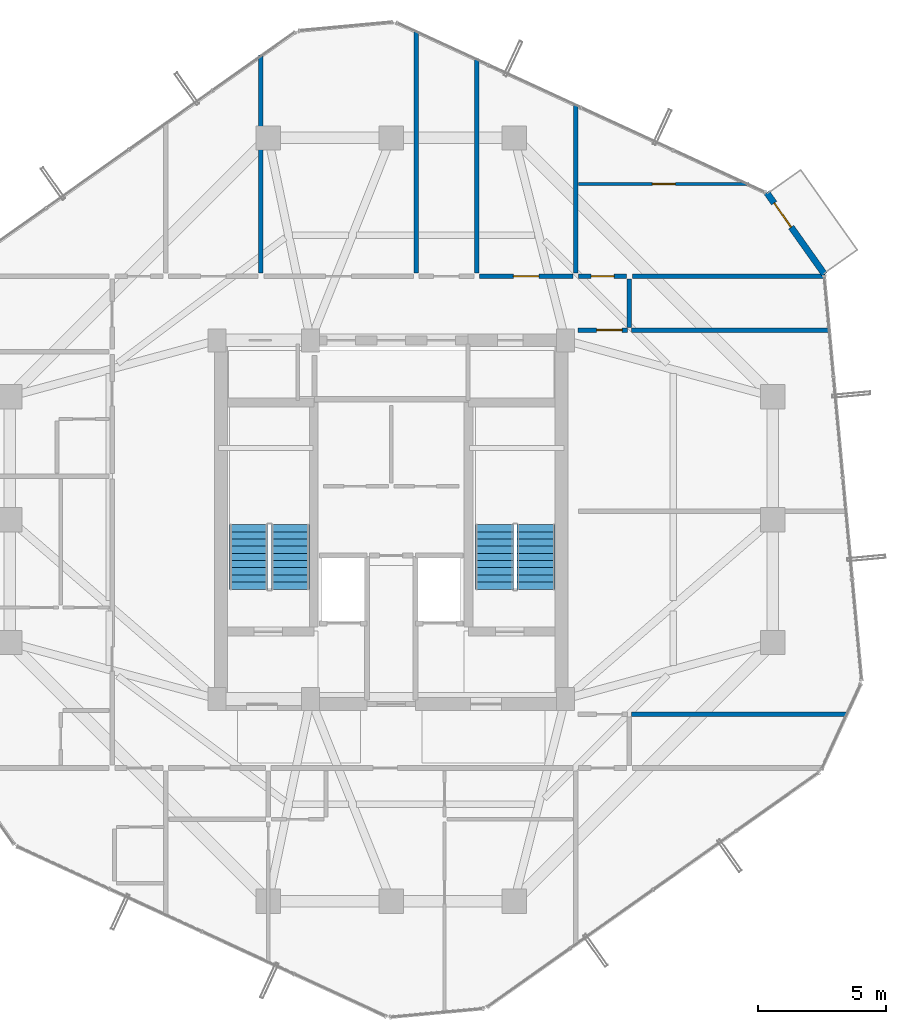
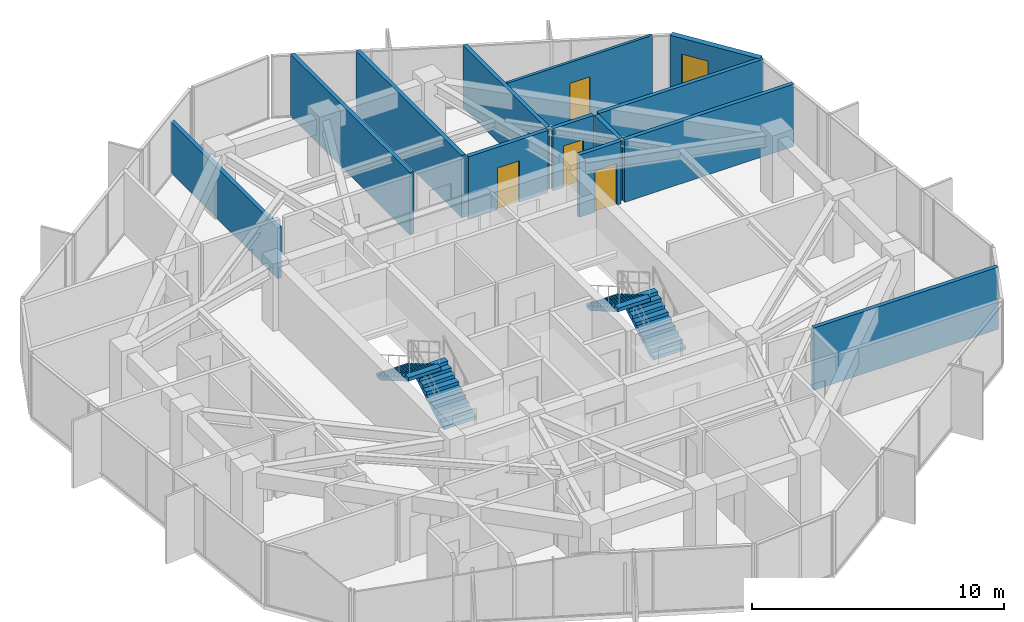
# One storey, part 30 of 32: 13 walls, 5 doors, 4 stair flights, 5 openings, 2 elements without a shape of their own.
"""IFC4 building model written with IfcOpenShell, lengths in metres."""

from ifc_helpers import new_model, si_unit, direction, frame, frame_2d, origin, place, context, subcontext, project, spatial, polyline, rectangle, outline, extrude, source, transform, mapped, material, layer, layer_set, type_object, element, fill, aggregate, save


model = new_model("IFC4")

# Units and contexts
model_context = context("Model", 3, precision=1e-05, world=origin(), true_north=direction((0.0, 1.0)))
body_context = subcontext(model_context, "Body", "Model", "MODEL_VIEW")
ifc_project = project(units=[si_unit("LENGTHUNIT", "METRE"), si_unit("AREAUNIT", "SQUARE_METRE"), si_unit("VOLUMEUNIT", "CUBIC_METRE"), si_unit("PLANEANGLEUNIT", "RADIAN"), si_unit("MASSUNIT", "GRAM", prefix="KILO")], contexts=[model_context])

# Site, building, storey
site_placement = place(None, origin())
site = spatial("IfcSite", under=ifc_project, at=site_placement, CompositionType="ELEMENT")
building_placement = place(site_placement, origin())
building = spatial("IfcBuilding", under=site, at=building_placement, Name="Veraguas Prism Commons", CompositionType="ELEMENT")
storey_placement = place(building_placement, frame((0.0, 0.0, 188.60009765625)))
storey = spatial("IfcBuildingStorey", under=building, at=storey_placement, Name="L53", CompositionType="ELEMENT", Elevation=188.60009765625)

# Walls
ifc_material_1 = material(Name="Autoclaved aerated masonry block 10 MPa", Category="masonry")
ifc_layer_1 = layer(ifc_material_1, 0.179931640625, Name="Corridor and Inter-Tenancy Partition 180", Category="masonry")
ifc_layer_set_1 = layer_set([ifc_layer_1], Name="Autoclaved aerated masonry block 10 MPa")
wall_type_1 = type_object("IfcWallType", Name="Corridor and Inter-Tenancy Partition 180", PredefinedType="PARTITIONING", material=ifc_layer_set_1)
wall_1_placement = place(storey_placement, frame((31.199951171875, 33.6201171875, 0.0), z_axis=(0.0, 0.0, 1.0), x_axis=(0.0, 1.0, 0.0)))
element("IfcWall", 1, at=wall_1_placement, inside=storey, type_object=wall_type_1, Name="WL-L53-PT014", PredefinedType="PARTITIONING", context=body_context, shape_type="SweptSolid", body=[
    extrude(rectangle(XDim=6.594970703125, YDim=0.179931640625, at=frame_2d((3.29736328125, 0.0))), origin(), (0.0, 0.0, 1.0), 3.014892578125),
])
wall_2_placement = place(storey_placement, frame((18.9130859375, 33.6201171875, 0.0), z_axis=(0.0, 0.0, 1.0), x_axis=(0.0, 1.0, 0.0)))
element("IfcWall", 2, at=wall_2_placement, inside=storey, type_object=wall_type_1, Name="WL-L53-PT017", PredefinedType="PARTITIONING", context=body_context, shape_type="SweptSolid", body=[
    extrude(rectangle(XDim=8.51220703125, YDim=0.179931640625, at=frame_2d((4.256103515625, 0.0))), origin(), (0.0, 0.0, 1.0), 2.468994140625),
])
wall_3_placement = place(storey_placement, frame((24.969970703125, 33.6201171875, 0.0), z_axis=(0.0, 0.0, 1.0), x_axis=(0.0, 1.0, 0.0)))
element("IfcWall", 3, at=wall_3_placement, inside=storey, type_object=wall_type_1, Name="WL-L53-PT018", PredefinedType="PARTITIONING", context=body_context, shape_type="SweptSolid", body=[
    extrude(rectangle(XDim=9.46337890625, YDim=0.179931640625, at=frame_2d((4.731689453125, 0.0))), origin(), (0.0, 0.0, 1.0), 3.014892578125),
])

# Wall, opening, door
wall_4_placement = place(storey_placement, frame((27.447021484375, 33.5, 0.0), z_axis=(0.0, 0.0, 1.0), x_axis=(1.0, 0.0, 0.0)))
wall_4 = element("IfcWall", 4, at=wall_4_placement, inside=storey, type_object=wall_type_1, Name="WL-L53-PT020", PredefinedType="PARTITIONING", context=body_context, shape_type="SweptSolid", body=[
    extrude(rectangle(XDim=3.64306640625, YDim=0.179931640625, at=frame_2d((1.821533203125, 0.0))), origin(), (0.0, 0.0, 1.0), 3.014892578125),
])
opening_1_placement = place(wall_4_placement, frame((1.321533203125, 0.0, 0.0)))
opening_1 = element("IfcOpeningElement", 5, at=opening_1_placement, cuts=wall_4, Name="Opening DR-13", PredefinedType="OPENING", context=body_context, shape_type="SweptSolid", body=[
    extrude(rectangle(XDim=1.0, YDim=2.010009765625, at=frame_2d((0.5, 1.0048828125))), frame((0.0, 0.099853515625, 0.0), z_axis=(0.0, -1.0, 0.0), x_axis=(1.0, 0.0, 0.0)), (0.0, 0.0, 1.0), 0.199951171875),
])
ifc_material_2 = material(Name="Steel fire-rated door assembly", Category="steel")
door_type_1 = type_object("IfcDoorType", Name="Core Accessible WC and Clinic Fire Door 1000x2010", OperationType="NOTDEFINED", PredefinedType="DOOR", material=ifc_material_2)
shared_shape_1 = source(origin(), body_context, "Body", "SweptSolid", [
    extrude(rectangle(XDim=1.0, YDim=2.010009765625, at=frame_2d((0.5, 1.0048828125))), frame((0.0, 0.02490234375, 0.0), z_axis=(0.0, -1.0, 0.0), x_axis=(1.0, 0.0, 0.0)), (0.0, 0.0, 1.0), 0.050048828125),
])
door_1_placement = place(opening_1_placement, origin())
door_1 = element("IfcDoor", 6, at=door_1_placement, inside=storey, type_object=door_type_1, Name="Co-op Store N Door", OperationType="SINGLE_SWING_RIGHT", OverallHeight=2.010009765625, OverallWidth=1.0, PredefinedType="DOOR", context=body_context, shape_type="MappedRepresentation", body=[
    mapped(shared_shape_1, transform((0.0, 0.0, 0.0), scale=1.0)),
])
fill(opening_1, door_1)

# Walls
wall_5_placement = place(storey_placement, frame((27.3369140625, 33.6201171875, 0.0), z_axis=(0.0, 0.0, 1.0), x_axis=(0.0, 1.0, 0.0)))
element("IfcWall", 7, at=wall_5_placement, inside=storey, type_object=wall_type_1, Name="WL-L53-PT021", PredefinedType="PARTITIONING", context=body_context, shape_type="SweptSolid", body=[
    extrude(rectangle(XDim=8.37353515625, YDim=0.179931640625, at=frame_2d((4.186767578125, 0.0))), origin(), (0.0, 0.0, 1.0), 3.014892578125),
])
wall_6_placement = place(storey_placement, frame((33.300048828125, 31.5, 0.0), z_axis=(0.0, 0.0, 1.0), x_axis=(0.0, 1.0, 0.0)))
element("IfcWall", 8, at=wall_6_placement, inside=storey, type_object=wall_type_1, Name="WL-L53-PT038", PredefinedType="PARTITIONING", context=body_context, shape_type="SweptSolid", body=[
    extrude(rectangle(XDim=1.89990234375, YDim=0.179931640625, at=frame_2d((0.949951171875, 0.0))), origin(), (0.0, 0.0, 1.0), 3.014892578125),
])
wall_7_placement = place(storey_placement, frame((33.3798828125, 16.39990234375, 0.0), z_axis=(0.0, 0.0, 1.0), x_axis=(1.0, 0.0, 0.0)))
element("IfcWall", 9, at=wall_7_placement, inside=storey, type_object=wall_type_1, Name="WL-L53-PT040", PredefinedType="PARTITIONING", context=body_context, shape_type="SweptSolid", body=[
    extrude(rectangle(XDim=8.44873046875, YDim=0.179931640625, at=frame_2d((4.224365234375, 0.0))), origin(), (0.0, 0.0, 1.0), 3.014892578125),
])

# Wall, opening, door
wall_8_placement = place(storey_placement, frame((31.300048828125, 31.39990234375, 0.0), z_axis=(0.0, 0.0, 1.0), x_axis=(1.0, 0.0, 0.0)))
wall_8 = element("IfcWall", 10, at=wall_8_placement, inside=storey, type_object=wall_type_1, Name="WL-L53-PT041", PredefinedType="PARTITIONING", context=body_context, shape_type="SweptSolid", body=[
    extrude(rectangle(XDim=1.919921875, YDim=0.179931640625, at=frame_2d((0.9599609375, 0.0))), origin(), (0.0, 0.0, 1.0), 3.014892578125),
])
opening_2_placement = place(wall_8_placement, frame((0.719970703125, 0.0, 0.0)))
opening_2 = element("IfcOpeningElement", 11, at=opening_2_placement, cuts=wall_8, Name="Opening DR-13", PredefinedType="OPENING", context=body_context, shape_type="SweptSolid", body=[
    extrude(rectangle(XDim=1.0, YDim=2.010009765625, at=frame_2d((0.5, 1.0048828125))), frame((0.0, 0.099853515625, 0.0), z_axis=(0.0, -1.0, 0.0), x_axis=(1.0, 0.0, 0.0)), (0.0, 0.0, 1.0), 0.199951171875),
])
door_2_placement = place(opening_2_placement, origin())
door_2 = element("IfcDoor", 12, at=door_2_placement, inside=storey, type_object=door_type_1, Name="Study Salon Door L53", OperationType="SINGLE_SWING_LEFT", OverallHeight=2.010009765625, OverallWidth=1.0, PredefinedType="DOOR", context=body_context, shape_type="MappedRepresentation", body=[
    mapped(shared_shape_1, transform((0.0, 0.0, 0.0), scale=1.0)),
])
fill(opening_2, door_2)

# Walls
wall_9_placement = place(storey_placement, frame((33.3798828125, 31.39990234375, 0.0), z_axis=(0.0, 0.0, 1.0), x_axis=(1.0, 0.0, 0.0)))
element("IfcWall", 13, at=wall_9_placement, inside=storey, type_object=wall_type_1, Name="WL-L53-PT042", PredefinedType="PARTITIONING", context=body_context, shape_type="SweptSolid", body=[
    extrude(rectangle(XDim=7.752197265625, YDim=0.179931640625, at=frame_2d((3.8759765625, 0.0))), origin(), (0.0, 0.0, 1.0), 3.014892578125),
])
wall_10_placement = place(storey_placement, frame((33.419921875, 33.5, 0.0), z_axis=(0.0, 0.0, 1.0), x_axis=(1.0, 0.0, 0.0)))
element("IfcWall", 14, at=wall_10_placement, inside=storey, type_object=wall_type_1, Name="WL-L53-PT050", PredefinedType="PARTITIONING", context=body_context, shape_type="SweptSolid", body=[
    extrude(rectangle(XDim=7.51806640625, YDim=0.179931640625, at=frame_2d((3.759033203125, 0.0))), origin(), (0.0, 0.0, 1.0), 3.014892578125),
])

# Wall, opening, door
wall_11_placement = place(storey_placement, frame((31.320068359375, 33.5, 0.0), z_axis=(0.0, 0.0, 1.0), x_axis=(1.0, 0.0, 0.0)))
wall_11 = element("IfcWall", 15, at=wall_11_placement, inside=storey, type_object=wall_type_1, Name="WL-L53-PT051", PredefinedType="PARTITIONING", context=body_context, shape_type="SweptSolid", body=[
    extrude(rectangle(XDim=1.85986328125, YDim=0.179931640625, at=frame_2d((0.929931640625, 0.0))), origin(), (0.0, 0.0, 1.0), 3.014892578125),
])
opening_3_placement = place(wall_11_placement, frame((0.47998046875, 0.0, 0.0)))
opening_3 = element("IfcOpeningElement", 16, at=opening_3_placement, cuts=wall_11, Name="Opening DR-14", PredefinedType="OPENING", context=body_context, shape_type="SweptSolid", body=[
    extrude(rectangle(XDim=0.89990234375, YDim=2.010009765625, at=frame_2d((0.449951171875, 1.0048828125))), frame((0.0, 0.099853515625, 0.0), z_axis=(0.0, -1.0, 0.0), x_axis=(1.0, 0.0, 0.0)), (0.0, 0.0, 1.0), 0.199951171875),
])
door_type_2 = type_object("IfcDoorType", Name="Core Service Room Fire Door 900x2010", OperationType="NOTDEFINED", PredefinedType="DOOR", material=ifc_material_2)
shared_shape_2 = source(origin(), body_context, "Body", "SweptSolid", [
    extrude(rectangle(XDim=0.89990234375, YDim=2.010009765625, at=frame_2d((0.449951171875, 1.0048828125))), frame((0.0, 0.02490234375, 0.0), z_axis=(0.0, -1.0, 0.0), x_axis=(1.0, 0.0, 0.0)), (0.0, 0.0, 1.0), 0.050048828125),
])
door_3_placement = place(opening_3_placement, origin())
door_3 = element("IfcDoor", 17, at=door_3_placement, inside=storey, type_object=door_type_2, Name="Corner Study NE Door", OperationType="SINGLE_SWING_RIGHT", OverallHeight=2.010009765625, OverallWidth=0.89990234375, PredefinedType="DOOR", context=body_context, shape_type="MappedRepresentation", body=[
    mapped(shared_shape_2, transform((0.0, 0.0, 0.0), scale=1.0)),
])
fill(opening_3, door_3)

ifc_material_3 = material(Name="Precast concrete C40/50", Category="concrete")
ifc_layer_2 = layer(ifc_material_3, 0.25, Name="External Loggia and Portal Wall 250", Category="concrete")
ifc_layer_set_2 = layer_set([ifc_layer_2], Name="Precast concrete C40/50")
wall_type_2 = type_object("IfcWallType", Name="External Loggia and Portal Wall 250", PredefinedType="SOLIDWALL", material=ifc_layer_set_2)
wall_12_placement = place(storey_placement, frame((40.9208984375, 33.57421875, 0.0), z_axis=(0.0, 0.0, 1.0), x_axis=(-0.577544819333, 0.816358978429, 0.0)))
wall_12 = element("IfcWall", 18, at=wall_12_placement, inside=storey, type_object=wall_type_2, Name="Corner Loggia Wall L53-C1", PredefinedType="SOLIDWALL", context=body_context, shape_type="SweptSolid", body=[
    extrude(rectangle(XDim=3.914306640625, YDim=0.25, at=frame_2d((1.95703125, 0.0))), origin(), (0.0, 0.0, 1.0), 3.014892578125),
])
opening_4_placement = place(wall_12_placement, frame((2.260009765625, 0.0, 0.0)))
opening_4 = element("IfcOpeningElement", 19, at=opening_4_placement, cuts=wall_12, Name="Opening DR-10", PredefinedType="OPENING", context=body_context, shape_type="SweptSolid", body=[
    extrude(rectangle(XDim=1.14990234375, YDim=2.25, at=frame_2d((0.574951171875, 1.125))), frame((0.0, 0.135009765625, 0.0), z_axis=(0.0, -1.0, 0.0), x_axis=(1.0, 0.0, 0.0)), (0.0, 0.0, 1.0), 0.27001953125),
])
ifc_material_4 = material(Name="Anodised aluminium EN AW-6063 T6", Category="aluminium")
door_type_3 = type_object("IfcDoorType", Name="Glazed Loggia and Terrace Door 1150x2250", OperationType="NOTDEFINED", PredefinedType="DOOR", material=ifc_material_4)
shared_shape_3 = source(origin(), body_context, "Body", "SweptSolid", [
    extrude(rectangle(XDim=1.14990234375, YDim=2.25, at=frame_2d((0.574951171875, 1.125))), frame((0.0, 0.02490234375, 0.0), z_axis=(0.0, -1.0, 0.0), x_axis=(1.0, 0.0, 0.0)), (0.0, 0.0, 1.0), 0.050048828125),
])
door_4_placement = place(opening_4_placement, frame((1.14990234375, 0.0, 0.0), z_axis=(0.0, 0.0, 1.0), x_axis=(-1.0, 0.0, 0.0)))
door_4 = element("IfcDoor", 20, at=door_4_placement, inside=storey, type_object=door_type_3, Name="Recessed Loggia Door L53-C1", OperationType="SINGLE_SWING_LEFT", OverallHeight=2.25, OverallWidth=1.14990234375, PredefinedType="DOOR", context=body_context, shape_type="MappedRepresentation", body=[
    mapped(shared_shape_3, transform((0.0, 0.0, 0.0), scale=1.0)),
])
fill(opening_4, door_4)

ifc_material_5 = material(Name="Lightweight acoustic gypsum board")
ifc_layer_3 = layer(ifc_material_5, 0.125, Name="Internal Apartment Room Partition 125")
ifc_layer_set_3 = layer_set([ifc_layer_3], Name="Lightweight acoustic gypsum board")
wall_type_3 = type_object("IfcWallType", Name="Internal Apartment Room Partition 125", PredefinedType="PARTITIONING", material=ifc_layer_set_3)
wall_13_placement = place(storey_placement, frame((31.320068359375, 37.10009765625, 0.0), z_axis=(0.0, 0.0, 1.0), x_axis=(1.0, 0.0, 0.0)))
wall_13 = element("IfcWall", 21, at=wall_13_placement, inside=storey, type_object=wall_type_3, Name="WL-L53-PT052", PredefinedType="PARTITIONING", context=body_context, shape_type="SweptSolid", body=[
    extrude(rectangle(XDim=6.646728515625, YDim=0.125, at=frame_2d((3.3232421875, 0.0))), origin(), (0.0, 0.0, 1.0), 3.014892578125),
])
opening_5_placement = place(wall_13_placement, frame((2.873291015625, 0.0, 0.0)))
opening_5 = element("IfcOpeningElement", 22, at=opening_5_placement, cuts=wall_13, Name="Opening DR-02", PredefinedType="OPENING", context=body_context, shape_type="SweptSolid", body=[
    extrude(rectangle(XDim=0.89990234375, YDim=2.010009765625, at=frame_2d((0.449951171875, 1.0048828125))), frame((0.0, 0.072509765625, 0.0), z_axis=(0.0, -1.0, 0.0), x_axis=(1.0, 0.0, 0.0)), (0.0, 0.0, 1.0), 0.14501953125),
])
ifc_material_6 = material(Name="Timber solid core hardwood", Category="wood")
door_type_4 = type_object("IfcDoorType", Name="Internal Habitable Room Door 900x2010", OperationType="NOTDEFINED", PredefinedType="DOOR", material=ifc_material_6)
door_5_placement = place(opening_5_placement, origin())
door_5 = element("IfcDoor", 23, at=door_5_placement, inside=storey, type_object=door_type_4, Name="Craft Room NE Door", OperationType="SINGLE_SWING_LEFT", OverallHeight=2.010009765625, OverallWidth=0.89990234375, PredefinedType="DOOR", context=body_context, shape_type="MappedRepresentation", body=[
    mapped(shared_shape_2, transform((0.0, 0.0, 0.0), scale=1.0)),
])
fill(opening_5, door_5)

# Stair, stair flights
ifc_material_7 = material(Name="Precast concrete C45/55", Category="concrete")
stair_type = type_object("IfcStairType", Name="Dogleg Core Stair 1480W 20R 05", PredefinedType="HALF_TURN_STAIR", material=ifc_material_7)
stair_1_placement = place(storey_placement, origin())
stair_1 = element("IfcStair", 24, at=stair_1_placement, inside=storey, type_object=stair_type, Name="Protected Exit Stair ST-01 L53", PredefinedType="HALF_TURN_STAIR")
stair_flight_type = type_object("IfcStairFlightType", Name="Precast Stair Flight 1480W 10R 05", PredefinedType="STRAIGHT", material=ifc_material_7)
stair_flight_1_placement = place(storey_placement, frame((20.06005859375, 21.280029296875, 0.0), z_axis=(0.0, 0.0, 1.0), x_axis=(0.0, 1.0, 0.0)))
stair_flight_1 = element("IfcStairFlight", 25, at=stair_flight_1_placement, type_object=stair_flight_type, Name="ST-05 Flight 1", NumberOfRisers=10, NumberOfTreads=9, PredefinedType="STRAIGHT", RiserHeight=0.1625, TreadLength=0.28, context=body_context, shape_type="SweptSolid", body=[
    extrude(outline(polyline([(0.0, 0.0), (0.0, 0.16259765625), (0.280029296875, 0.16259765625), (0.280029296875, 0.324951171875), (0.56005859375, 0.324951171875), (0.56005859375, 0.487548828125), (0.840087890625, 0.487548828125), (0.840087890625, 0.64990234375), (1.1201171875, 0.64990234375), (1.1201171875, 0.8125), (1.39990234375, 0.8125), (1.39990234375, 0.97509765625), (1.679931640625, 0.97509765625), (1.679931640625, 1.137451171875), (1.9599609375, 1.137451171875), (1.9599609375, 1.300048828125), (2.239990234375, 1.300048828125), (2.239990234375, 1.46240234375), (2.52001953125, 1.46240234375), (2.52001953125, 1.625), (2.52001953125, 1.2890625), (0.298583984375, 0.0), (0.0, 0.0)])), frame((0.0, 0.739990234375, 0.0), z_axis=(0.0, -1.0, 0.0), x_axis=(1.0, 0.0, 0.0)), (0.0, 0.0, 1.0), 1.47998046875),
])
stair_flight_2_placement = place(storey_placement, frame((18.429931640625, 23.800048828125, 1.625), z_axis=(0.0, 0.0, 1.0), x_axis=(0.0, -1.0, 0.0)))
stair_flight_2 = element("IfcStairFlight", 26, at=stair_flight_2_placement, type_object=stair_flight_type, Name="ST-05 Flight 2", NumberOfRisers=10, NumberOfTreads=9, PredefinedType="STRAIGHT", RiserHeight=0.1625, TreadLength=0.28, context=body_context, shape_type="SweptSolid", body=[
    extrude(outline(polyline([(0.0, 0.0), (0.0, 0.16259765625), (0.280029296875, 0.16259765625), (0.280029296875, 0.324951171875), (0.56005859375, 0.324951171875), (0.56005859375, 0.487548828125), (0.840087890625, 0.487548828125), (0.840087890625, 0.64990234375), (1.1201171875, 0.64990234375), (1.1201171875, 0.8125), (1.39990234375, 0.8125), (1.39990234375, 0.97509765625), (1.679931640625, 0.97509765625), (1.679931640625, 1.137451171875), (1.9599609375, 1.137451171875), (1.9599609375, 1.300048828125), (2.239990234375, 1.300048828125), (2.239990234375, 1.46240234375), (2.52001953125, 1.46240234375), (2.52001953125, 1.625), (2.52001953125, 1.2890625), (0.298583984375, 0.0), (0.0, 0.0)])), frame((0.0, 0.739990234375, 0.0), z_axis=(0.0, -1.0, 0.0), x_axis=(1.0, 0.0, 0.0)), (0.0, 0.0, 1.0), 1.47998046875),
])
aggregate(stair_1, [stair_flight_1, stair_flight_2])

stair_2_placement = place(storey_placement, origin())
stair_2 = element("IfcStair", 27, at=stair_2_placement, inside=storey, type_object=stair_type, Name="Protected Exit Stair ST-02 L53", PredefinedType="HALF_TURN_STAIR")
stair_flight_3_placement = place(storey_placement, frame((29.659912109375, 21.280029296875, 0.0), z_axis=(0.0, 0.0, 1.0), x_axis=(0.0, 1.0, 0.0)))
stair_flight_3 = element("IfcStairFlight", 28, at=stair_flight_3_placement, type_object=stair_flight_type, Name="ST-05 Flight 1", NumberOfRisers=10, NumberOfTreads=9, PredefinedType="STRAIGHT", RiserHeight=0.1625, TreadLength=0.28, context=body_context, shape_type="SweptSolid", body=[
    extrude(outline(polyline([(0.0, 0.0), (0.0, 0.16259765625), (0.280029296875, 0.16259765625), (0.280029296875, 0.324951171875), (0.56005859375, 0.324951171875), (0.56005859375, 0.487548828125), (0.840087890625, 0.487548828125), (0.840087890625, 0.64990234375), (1.1201171875, 0.64990234375), (1.1201171875, 0.8125), (1.39990234375, 0.8125), (1.39990234375, 0.97509765625), (1.679931640625, 0.97509765625), (1.679931640625, 1.137451171875), (1.9599609375, 1.137451171875), (1.9599609375, 1.300048828125), (2.239990234375, 1.300048828125), (2.239990234375, 1.46240234375), (2.52001953125, 1.46240234375), (2.52001953125, 1.625), (2.52001953125, 1.2890625), (0.298583984375, 0.0), (0.0, 0.0)])), frame((0.0, 0.739990234375, 0.0), z_axis=(0.0, -1.0, 0.0), x_axis=(1.0, 0.0, 0.0)), (0.0, 0.0, 1.0), 1.47998046875),
])
stair_flight_4_placement = place(storey_placement, frame((28.030029296875, 23.800048828125, 1.625), z_axis=(0.0, 0.0, 1.0), x_axis=(0.0, -1.0, 0.0)))
stair_flight_4 = element("IfcStairFlight", 29, at=stair_flight_4_placement, type_object=stair_flight_type, Name="ST-05 Flight 2", NumberOfRisers=10, NumberOfTreads=9, PredefinedType="STRAIGHT", RiserHeight=0.1625, TreadLength=0.28, context=body_context, shape_type="SweptSolid", body=[
    extrude(outline(polyline([(0.0, 0.0), (0.0, 0.16259765625), (0.280029296875, 0.16259765625), (0.280029296875, 0.324951171875), (0.56005859375, 0.324951171875), (0.56005859375, 0.487548828125), (0.840087890625, 0.487548828125), (0.840087890625, 0.64990234375), (1.1201171875, 0.64990234375), (1.1201171875, 0.8125), (1.39990234375, 0.8125), (1.39990234375, 0.97509765625), (1.679931640625, 0.97509765625), (1.679931640625, 1.137451171875), (1.9599609375, 1.137451171875), (1.9599609375, 1.300048828125), (2.239990234375, 1.300048828125), (2.239990234375, 1.46240234375), (2.52001953125, 1.46240234375), (2.52001953125, 1.625), (2.52001953125, 1.2890625), (0.298583984375, 0.0), (0.0, 0.0)])), frame((0.0, 0.739990234375, 0.0), z_axis=(0.0, -1.0, 0.0), x_axis=(1.0, 0.0, 0.0)), (0.0, 0.0, 1.0), 1.47998046875),
])
aggregate(stair_2, [stair_flight_3, stair_flight_4])

save(model, "model.ifc")
